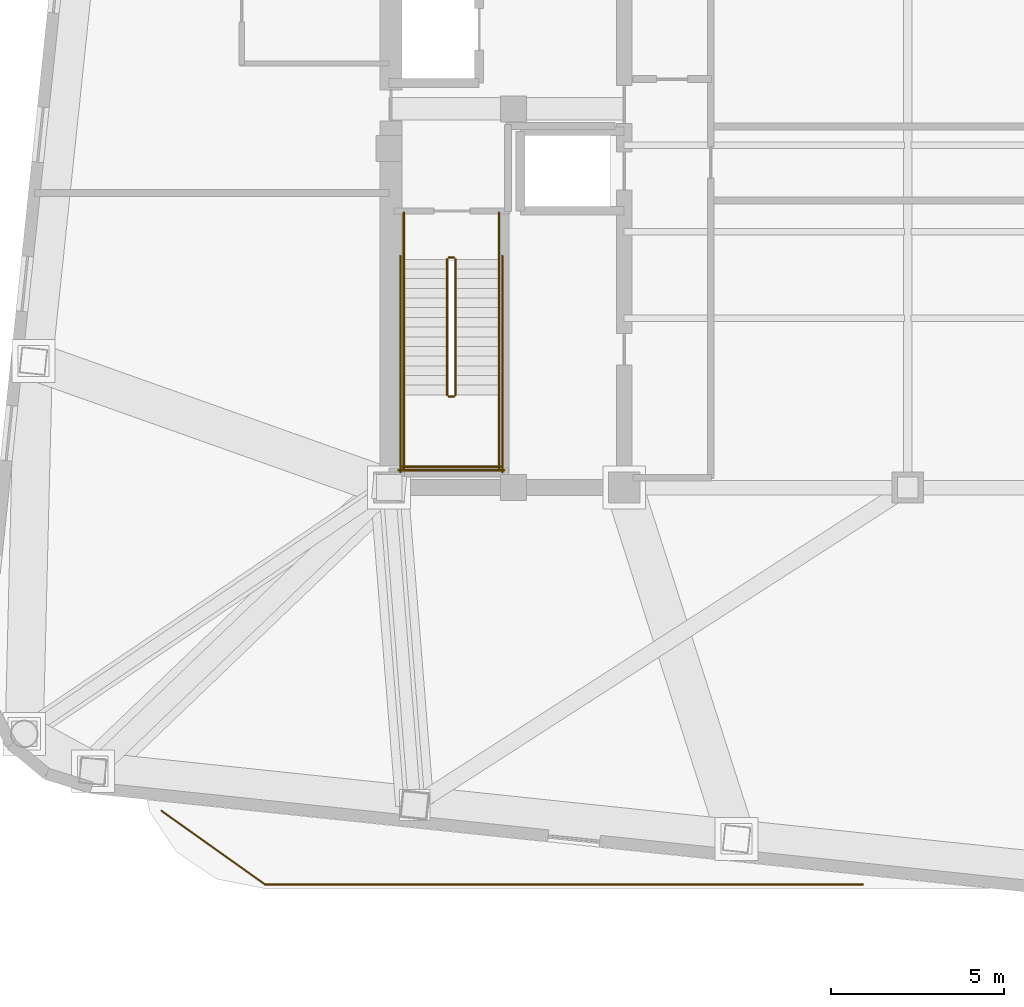
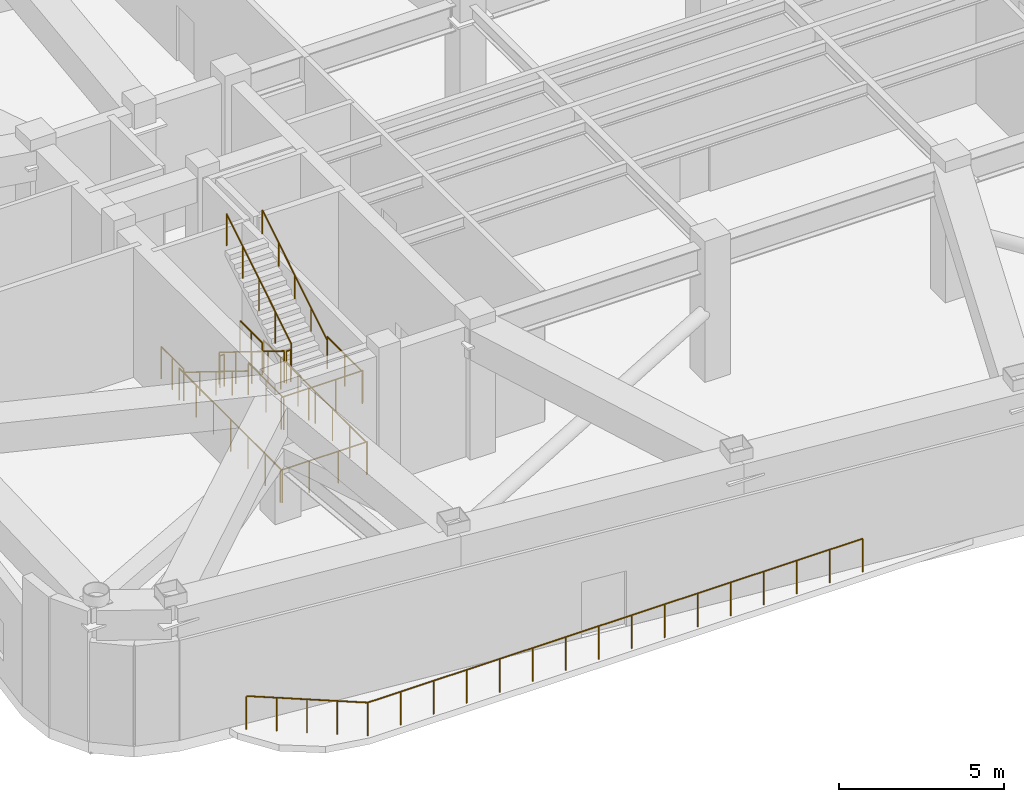
# One storey, part 7 of 9: 16 railings.
"""IFC4 building model written with IfcOpenShell, lengths in metres."""

import ifcopenshell
import ifcopenshell.guid

model = None  # the IFC model being written
_history = None  # IfcOwnerHistory: only IFC2X3 demands one
_inside = {}  # id of a spatial element -> (the spatial element, [elements in it])
_under = {}  # id of a project, library or spatial element -> (it, [spatial elements below it])
_declared = {}  # id of a project -> (the project, [libraries it declares])
_typed = {}  # id of a type object -> (the type object, [elements of that type])
_made_of = {}  # id of a material, layer set ... -> (it, [elements and type objects made of it])


def new_model(schema):
    """Start an empty IFC model of exactly this schema.

    Asked for "IFC4X3", IfcOpenShell would pick the latest addendum, in which some entities
    have other attributes; the version numbers below select the first issue.
    IFC2X3 requires an IfcOwnerHistory on every rooted entity: one is made here for all.
    """
    global model, _history
    if schema == "IFC4X3":
        model = ifcopenshell.file(schema_version=(4, 3, 0, 0))
    else:
        model = ifcopenshell.file(schema=schema)
    _inside.clear()
    _under.clear()
    _declared.clear()
    _typed.clear()
    _made_of.clear()
    _history = None
    if model.schema == "IFC2X3":
        org = make("IfcOrganization", Name="unknown")
        user = make(
            "IfcPersonAndOrganization",
            ThePerson=make("IfcPerson", FamilyName="unknown"),
            TheOrganization=org,
        )
        app = make(
            "IfcApplication",
            ApplicationDeveloper=org,
            Version="unknown",
            ApplicationFullName="unknown",
            ApplicationIdentifier="unknown",
        )
        _history = make(
            "IfcOwnerHistory",
            OwningUser=user,
            OwningApplication=app,
            ChangeAction="ADDED",
            CreationDate=0,
        )
    return model


def make(cls, **values):
    """One entity of the class cls with the attributes given. An attribute that is None is left unset."""
    return model.create_entity(
        cls, **{name: value for name, value in values.items() if value is not None}
    )


def rooted(cls, **values):
    """An entity with a GlobalId (a new one), such as an element, a storey or a relation."""
    return make(cls, GlobalId=ifcopenshell.guid.new(), OwnerHistory=_history, **values)


def si_unit(unit_type, name, prefix=None):
    """IfcSIUnit, for example si_unit("LENGTHUNIT", "METRE", prefix="MILLI")."""
    return make("IfcSIUnit", UnitType=unit_type, Prefix=prefix, Name=name)


def assignment(units):
    """IfcUnitAssignment: the units of a project."""
    return None if units is None else make("IfcUnitAssignment", Units=units)


def point(xyz):
    """IfcCartesianPoint."""
    return None if xyz is None else make("IfcCartesianPoint", Coordinates=xyz)


def direction(xyz):
    """IfcDirection."""
    return None if xyz is None else make("IfcDirection", DirectionRatios=xyz)


def frame(location, z_axis=None, x_axis=None):
    """IfcAxis2Placement3D, a coordinate frame: its origin and axes. An axis left out is left unset."""
    return make(
        "IfcAxis2Placement3D",
        Location=point(location),
        Axis=direction(z_axis),
        RefDirection=direction(x_axis),
    )


def frame_2d(location, x_axis=None):
    """IfcAxis2Placement2D, a coordinate frame in the plane: its origin and x axis."""
    return make(
        "IfcAxis2Placement2D", Location=point(location), RefDirection=direction(x_axis)
    )


def origin():
    """The frame at (0, 0, 0) with its axes left unset."""
    return frame((0.0, 0.0, 0.0))


def origin_2d():
    """The frame at (0, 0) in the plane with its x axis left unset."""
    return frame_2d((0.0, 0.0))


def place(relative_to, where):
    """IfcLocalPlacement: puts the frame where relative to a parent placement (None: the world)."""
    return make(
        "IfcLocalPlacement", PlacementRelTo=relative_to, RelativePlacement=where
    )


def context(
    kind, dimensions, precision=None, world=None, true_north=None, identifier=None
):
    """IfcGeometricRepresentationContext, for example the 3D "Model" context."""
    return make(
        "IfcGeometricRepresentationContext",
        ContextIdentifier=identifier,
        ContextType=kind,
        CoordinateSpaceDimension=dimensions,
        Precision=precision,
        WorldCoordinateSystem=world,
        TrueNorth=true_north,
    )


def subcontext(parent, identifier, kind, view, scale=None):
    """IfcGeometricRepresentationSubContext, for example "Body" below "Model"."""
    return make(
        "IfcGeometricRepresentationSubContext",
        ContextIdentifier=identifier,
        ContextType=kind,
        ParentContext=parent,
        TargetScale=scale,
        TargetView=view,
    )


def project(units=None, contexts=None):
    """IfcProject with its units and contexts."""
    return rooted(
        "IfcProject",
        Name="project",
        RepresentationContexts=contexts,
        UnitsInContext=assignment(units),
    )


def spatial(cls, under=None, at=None, **own):
    """A site, building, storey or space (cls), placed at a placement, below another one or the project."""
    s = rooted(cls, ObjectPlacement=at, **own)
    if under is not None:
        _under.setdefault(under.id(), (under, []))[1].append(s)
    return s


def profile(cls, at=None, kind="AREA", **sizes):
    """A parametric profile (cls). Its sizes go by their IFC names, for example OverallWidth=200.0."""
    return make(cls, ProfileType=kind, Position=at, **sizes)


def circle(**sizes):
    """IfcCircleProfileDef."""
    return profile("IfcCircleProfileDef", **sizes)


def extrude(swept, where, along, depth):
    """IfcExtrudedAreaSolid: the profile swept, set in the frame where, extruded along a direction by depth."""
    return make(
        "IfcExtrudedAreaSolid",
        SweptArea=swept,
        Position=where,
        ExtrudedDirection=direction(along),
        Depth=depth,
    )


def shape(context_of_items, identifier, shape_type, items):
    """IfcShapeRepresentation: the items that make up one representation, for example the "Body"."""
    return make(
        "IfcShapeRepresentation",
        ContextOfItems=context_of_items,
        RepresentationIdentifier=identifier,
        RepresentationType=shape_type,
        Items=items,
    )


def material(Name=None, Category=None):
    """IfcMaterial."""
    return make("IfcMaterial", Name=Name, Category=Category)


def made_of(thing, what):
    """Note that an element or type object is made of a material, layer set ...; save() writes the relation."""
    if what is not None:
        _made_of.setdefault(what.id(), (what, []))[1].append(thing)
    return thing


def type_object(cls, material=None, **own):
    """A type object (cls), such as IfcWallType, which elements share."""
    return made_of(rooted(cls, **own), material)


def element(
    cls,
    number,
    at=None,
    inside=None,
    cuts=None,
    type_object=None,
    material=None,
    context=None,
    identifier="Body",
    shape_type=None,
    held_by="IfcProductDefinitionShape",
    body=None,
    shapes=None,
    **own,
):
    """One element of the class cls, such as IfcWall. Its Tag is "e" and its number.

    at: its placement. inside: the storey or other place that contains it. cuts: it is an
    opening in that element (IfcRelVoidsElement). A single representation is given by context,
    identifier, shape_type and body (its items); several are given by shapes. held_by: the class
    of the entity that holds the representations. save() writes the other relations.
    """
    e = rooted(cls, Tag="e%d" % number, ObjectPlacement=at, **own)
    if body is not None:
        shapes = [shape(context, identifier, shape_type, body)]
    if shapes is not None:
        e.Representation = make(held_by, Representations=shapes)
    if inside is not None:
        _inside.setdefault(inside.id(), (inside, []))[1].append(e)
    if cuts is not None:
        rooted(
            "IfcRelVoidsElement", RelatingBuildingElement=cuts, RelatedOpeningElement=e
        )
    if type_object is not None:
        _typed.setdefault(type_object.id(), (type_object, []))[1].append(e)
    return made_of(e, material)


def aggregate(whole, parts):
    """IfcRelAggregates: a whole, such as a stair, and the parts it consists of."""
    return rooted("IfcRelAggregates", RelatingObject=whole, RelatedObjects=parts)


def save(model, path):
    """Write the relations noted so far, then the file.

    IfcRelAggregates (storeys below a building ...), IfcRelContainedInSpatialStructure (elements
    in a storey), IfcRelDefinesByType, IfcRelAssociatesMaterial and IfcRelDeclares: one each for
    every whole, place, type object, material and project.
    """
    for whole, parts in _under.values():
        aggregate(whole, parts)
    for where, things in _inside.values():
        rooted(
            "IfcRelContainedInSpatialStructure",
            RelatedElements=things,
            RelatingStructure=where,
        )
    for kind, things in _typed.values():
        rooted("IfcRelDefinesByType", RelatedObjects=things, RelatingType=kind)
    for what, things in _made_of.values():
        rooted("IfcRelAssociatesMaterial", RelatedObjects=things, RelatingMaterial=what)
    for by, libraries in _declared.values():
        rooted("IfcRelDeclares", RelatingContext=by, RelatedDefinitions=libraries)
    model.write(path)


model = new_model("IFC4")

# Units and contexts
model_context = context("Model", 3, precision=1e-05, world=origin(), true_north=direction((0.0, 1.0)))
body_context = subcontext(model_context, "Body", "Model", "MODEL_VIEW")
ifc_project = project(units=[si_unit("LENGTHUNIT", "METRE"), si_unit("AREAUNIT", "SQUARE_METRE"), si_unit("VOLUMEUNIT", "CUBIC_METRE"), si_unit("PLANEANGLEUNIT", "RADIAN"), si_unit("MASSUNIT", "GRAM", prefix="KILO")], contexts=[model_context])

# Site, building, storey
site_placement = place(None, origin())
site = spatial("IfcSite", under=ifc_project, at=site_placement, CompositionType="ELEMENT")
building_placement = place(site_placement, origin())
building = spatial("IfcBuilding", under=site, at=building_placement, Name="Voryun Gate Residences", CompositionType="ELEMENT")
storey_placement = place(building_placement, frame((0.0, 0.0, 254.800048828125)))
storey = spatial("IfcBuildingStorey", under=building, at=storey_placement, Name="L63", CompositionType="ELEMENT", Elevation=254.800048828125)

# Railings
ifc_material_1 = material(Name="Painted steel", Category="steel")
railing_type_1 = type_object("IfcRailingType", Name="RAIL_STAIR_GUARD_1200", PredefinedType="GUARDRAIL", material=ifc_material_1)
railing_1_placement = place(storey_placement, frame((-17.52490234375, -0.800048828125, 0.17333984375)))
element("IfcRailing", 1, at=railing_1_placement, inside=storey, type_object=railing_type_1, Name="L63 ST-W1 stair guard 1", PredefinedType="GUARDRAIL", context=body_context, shape_type="SweptSolid", body=[
    extrude(circle(Radius=0.02392578125, at=origin_2d()), frame((0.0, 0.0, 1.17578125), z_axis=(0.0, -0.850275303828, 0.526338206574), x_axis=(1.0, 0.0, 0.0)), (0.0, 0.0, 1.0), 4.610107421875),
    extrude(circle(Radius=0.02099609375, at=origin_2d()), origin(), (0.0, 0.0, 1.0), 1.15185546875),
    extrude(circle(Radius=0.02099609375, at=origin_2d()), frame((0.0, -0.97998046875, 0.606689453125)), (0.0, 0.0, 1.0), 1.15185546875),
    extrude(circle(Radius=0.02099609375, at=origin_2d()), frame((0.0, -1.9599609375, 1.21337890625)), (0.0, 0.0, 1.0), 1.15185546875),
    extrude(circle(Radius=0.02099609375, at=origin_2d()), frame((0.0, -2.93994140625, 1.81982421875)), (0.0, 0.0, 1.0), 1.15185546875),
    extrude(circle(Radius=0.02099609375, at=origin_2d()), frame((0.0, -3.919921875, 2.426513671875)), (0.0, 0.0, 1.0), 1.15185546875),
])
railing_2_placement = place(storey_placement, frame((-17.47509765625, -4.77001953125, 2.599853515625)))
element("IfcRailing", 2, at=railing_2_placement, inside=storey, type_object=railing_type_1, Name="L63 ST-W1 stair guard 2", PredefinedType="GUARDRAIL", context=body_context, shape_type="SweptSolid", body=[
    extrude(circle(Radius=0.02392578125, at=origin_2d()), frame((0.0, 0.0, 1.17578125), z_axis=(1.0, 0.0, 0.0), x_axis=(0.0, 1.0, 0.0)), (0.0, 0.0, 1.0), 0.150146484375),
    extrude(circle(Radius=0.02099609375, at=origin_2d()), origin(), (0.0, 0.0, 1.0), 1.15185546875),
    extrude(circle(Radius=0.02099609375, at=origin_2d()), frame((0.150146484375, 0.0, 0.0)), (0.0, 0.0, 1.0), 1.15185546875),
])
for number, where, name in (
    (3, (-18.77490234375, -4.719970703125, 2.599853515625), "L63 ST-W1 stair guard 3"),
    (4, (-16.02490234375, -4.719970703125, 2.599853515625), "L63 ST-W1 stair guard 4"),
):
    element("IfcRailing", number, at=place(storey_placement, frame(where)), inside=storey, type_object=railing_type_1, Name=name, PredefinedType="GUARDRAIL", context=body_context, shape_type="SweptSolid", body=[
        extrude(circle(Radius=0.02392578125, at=origin_2d()), frame((0.0, 0.0, 1.17578125), z_axis=(0.0, -1.0, 0.0), x_axis=(1.0, 0.0, 0.0)), (0.0, 0.0, 1.0), 2.130126953125),
        extrude(circle(Radius=0.02099609375, at=origin_2d()), origin(), (0.0, 0.0, 1.0), 1.15185546875),
        extrude(circle(Radius=0.02099609375, at=origin_2d()), frame((0.0, -1.06494140625, 0.0)), (0.0, 0.0, 1.0), 1.15185546875),
        extrude(circle(Radius=0.02099609375, at=origin_2d()), frame((0.0, -2.130126953125, 0.0)), (0.0, 0.0, 1.0), 1.15185546875),
    ])
railing_3_placement = place(storey_placement, frame((-18.824951171875, -6.800048828125, 2.599853515625)))
element("IfcRailing", 5, at=railing_3_placement, inside=storey, type_object=railing_type_1, Name="L63 ST-W1 stair guard 5", PredefinedType="GUARDRAIL", context=body_context, shape_type="SweptSolid", body=[
    extrude(circle(Radius=0.02392578125, at=origin_2d()), frame((0.0, 0.0, 1.17578125), z_axis=(1.0, 0.0, 0.0), x_axis=(0.0, 1.0, 0.0)), (0.0, 0.0, 1.0), 2.849853515625),
    extrude(circle(Radius=0.02099609375, at=origin_2d()), origin(), (0.0, 0.0, 1.0), 1.15185546875),
    extrude(circle(Radius=0.02099609375, at=origin_2d()), frame((0.949951171875, 0.0, 0.0)), (0.0, 0.0, 1.0), 1.15185546875),
    extrude(circle(Radius=0.02099609375, at=origin_2d()), frame((1.89990234375, 0.0, 0.0)), (0.0, 0.0, 1.0), 1.15185546875),
    extrude(circle(Radius=0.02099609375, at=origin_2d()), frame((2.849853515625, 0.0, 0.0)), (0.0, 0.0, 1.0), 1.15185546875),
])
railing_4_placement = place(storey_placement, frame((-17.27490234375, -4.719970703125, 2.773193359375)))
element("IfcRailing", 6, at=railing_4_placement, inside=storey, type_object=railing_type_1, Name="L63 ST-W1 stair guard 6", PredefinedType="GUARDRAIL", context=body_context, shape_type="SweptSolid", body=[
    extrude(circle(Radius=0.02392578125, at=origin_2d()), frame((0.0, 0.0, 1.17578125), z_axis=(0.0, 0.850251603719, 0.526376491091), x_axis=(-1.0, 0.0, 0.0)), (0.0, 0.0, 1.0), 4.6103515625),
    extrude(circle(Radius=0.02099609375, at=origin_2d()), origin(), (0.0, 0.0, 1.0), 1.15185546875),
    extrude(circle(Radius=0.02099609375, at=origin_2d()), frame((0.0, 0.97998046875, 0.606689453125)), (0.0, 0.0, 1.0), 1.15185546875),
    extrude(circle(Radius=0.02099609375, at=origin_2d()), frame((0.0, 1.9599609375, 1.21337890625)), (0.0, 0.0, 1.0), 1.15185546875),
    extrude(circle(Radius=0.02099609375, at=origin_2d()), frame((0.0, 2.93994140625, 1.820068359375)), (0.0, 0.0, 1.0), 1.15185546875),
    extrude(circle(Radius=0.02099609375, at=origin_2d()), frame((0.0, 3.919921875, 2.4267578125)), (0.0, 0.0, 1.0), 1.15185546875),
])
railing_5_placement = place(storey_placement, frame((-17.47509765625, -0.75, 0.0)))
element("IfcRailing", 7, at=railing_5_placement, inside=storey, type_object=railing_type_1, Name="L63 ST-W1 stair guard 7", PredefinedType="GUARDRAIL", context=body_context, shape_type="SweptSolid", body=[
    extrude(circle(Radius=0.02392578125, at=origin_2d()), frame((0.0, 0.0, 1.17578125), z_axis=(1.0, 0.0, 0.0), x_axis=(0.0, 1.0, 0.0)), (0.0, 0.0, 1.0), 0.150146484375),
    extrude(circle(Radius=0.02099609375, at=origin_2d()), origin(), (0.0, 0.0, 1.0), 1.15185546875),
    extrude(circle(Radius=0.02099609375, at=origin_2d()), frame((0.150146484375, 0.0, 0.0)), (0.0, 0.0, 1.0), 1.15185546875),
])
for number, where, name in (
    (8, (-18.77490234375, 0.550048828125, 0.0), "L63 ST-W1 stair guard 8"),
    (9, (-16.02490234375, 0.550048828125, 0.0), "L63 ST-W1 stair guard 9"),
):
    element("IfcRailing", number, at=place(storey_placement, frame(where)), inside=storey, type_object=railing_type_1, Name=name, PredefinedType="GUARDRAIL", context=body_context, shape_type="SweptSolid", body=[
        extrude(circle(Radius=0.02392578125, at=origin_2d()), frame((0.0, 0.0, 1.17578125), z_axis=(0.0, -1.0, 0.0), x_axis=(1.0, 0.0, 0.0)), (0.0, 0.0, 1.0), 1.35009765625),
        extrude(circle(Radius=0.02099609375, at=origin_2d()), origin(), (0.0, 0.0, 1.0), 1.15185546875),
        extrude(circle(Radius=0.02099609375, at=origin_2d()), frame((0.0, -0.675048828125, 0.0)), (0.0, 0.0, 1.0), 1.15185546875),
        extrude(circle(Radius=0.02099609375, at=origin_2d()), frame((0.0, -1.35009765625, 0.0)), (0.0, 0.0, 1.0), 1.15185546875),
    ])
for number, where, name in (
    (10, (-18.875, -0.699951171875, 0.0), "L63 ST-W1 stair guard 10"),
    (11, (-15.925048828125, -0.699951171875, 0.0), "L63 ST-W1 stair guard 11"),
):
    element("IfcRailing", number, at=place(storey_placement, frame(where)), inside=storey, type_object=railing_type_1, Name=name, PredefinedType="GUARDRAIL", context=body_context, shape_type="SweptSolid", body=[
        extrude(circle(Radius=0.02392578125, at=origin_2d()), frame((0.0, 0.0, 1.17578125), z_axis=(0.0, -1.0, 0.0), x_axis=(1.0, 0.0, 0.0)), (0.0, 0.0, 1.0), 6.25),
        extrude(circle(Radius=0.02099609375, at=origin_2d()), origin(), (0.0, 0.0, 1.0), 1.15185546875),
        extrude(circle(Radius=0.02099609375, at=origin_2d()), frame((0.0, -1.041748046875, 0.0)), (0.0, 0.0, 1.0), 1.15185546875),
        extrude(circle(Radius=0.02099609375, at=origin_2d()), frame((0.0, -2.083251953125, 0.0)), (0.0, 0.0, 1.0), 1.15185546875),
        extrude(circle(Radius=0.02099609375, at=origin_2d()), frame((0.0, -3.125, 0.0)), (0.0, 0.0, 1.0), 1.15185546875),
        extrude(circle(Radius=0.02099609375, at=origin_2d()), frame((0.0, -4.166748046875, 0.0)), (0.0, 0.0, 1.0), 1.15185546875),
        extrude(circle(Radius=0.02099609375, at=origin_2d()), frame((0.0, -5.208251953125, 0.0)), (0.0, 0.0, 1.0), 1.15185546875),
        extrude(circle(Radius=0.02099609375, at=origin_2d()), frame((0.0, -6.25, 0.0)), (0.0, 0.0, 1.0), 1.15185546875),
    ])
railing_6_placement = place(storey_placement, frame((-18.925048828125, -6.89990234375, 0.0)))
element("IfcRailing", 12, at=railing_6_placement, inside=storey, type_object=railing_type_1, Name="L63 ST-W1 stair guard 12", PredefinedType="GUARDRAIL", context=body_context, shape_type="SweptSolid", body=[
    extrude(circle(Radius=0.02392578125, at=origin_2d()), frame((0.0, 0.0, 1.17578125), z_axis=(1.0, 0.0, 0.0), x_axis=(0.0, 1.0, 0.0)), (0.0, 0.0, 1.0), 3.050048828125),
    extrude(circle(Radius=0.02099609375, at=origin_2d()), origin(), (0.0, 0.0, 1.0), 1.15185546875),
    extrude(circle(Radius=0.02099609375, at=origin_2d()), frame((1.0166015625, 0.0, 0.0)), (0.0, 0.0, 1.0), 1.15185546875),
    extrude(circle(Radius=0.02099609375, at=origin_2d()), frame((2.033447265625, 0.0, 0.0)), (0.0, 0.0, 1.0), 1.15185546875),
    extrude(circle(Radius=0.02099609375, at=origin_2d()), frame((3.050048828125, 0.0, 0.0)), (0.0, 0.0, 1.0), 1.15185546875),
])
ifc_material_2 = material(Name="Painted steel", Category="steel")
railing_type_2 = type_object("IfcRailingType", Name="RAIL_STAIR_HANDRAIL_900", PredefinedType="HANDRAIL", material=ifc_material_2)
railing_7_placement = place(storey_placement, frame((-18.77490234375, -0.800048828125, 0.17333984375)))
element("IfcRailing", 13, at=railing_7_placement, inside=storey, type_object=railing_type_2, Name="L63 ST-W1 stair handrail 1", PredefinedType="HANDRAIL", context=body_context, shape_type="SweptSolid", body=[
    extrude(circle(Radius=0.02392578125, at=origin_2d()), frame((0.0, 0.0, 0.8759765625), z_axis=(0.0, -0.850275303828, 0.526338206574), x_axis=(1.0, 0.0, 0.0)), (0.0, 0.0, 1.0), 4.610107421875),
    extrude(circle(Radius=0.02099609375, at=origin_2d()), origin(), (0.0, 0.0, 1.0), 0.851806640625),
    extrude(circle(Radius=0.02099609375, at=origin_2d()), frame((0.0, -0.97998046875, 0.606689453125)), (0.0, 0.0, 1.0), 0.851806640625),
    extrude(circle(Radius=0.02099609375, at=origin_2d()), frame((0.0, -1.9599609375, 1.21337890625)), (0.0, 0.0, 1.0), 0.851806640625),
    extrude(circle(Radius=0.02099609375, at=origin_2d()), frame((0.0, -2.93994140625, 1.81982421875)), (0.0, 0.0, 1.0), 0.851806640625),
    extrude(circle(Radius=0.02099609375, at=origin_2d()), frame((0.0, -3.919921875, 2.426513671875)), (0.0, 0.0, 1.0), 0.851806640625),
])
railing_8_placement = place(storey_placement, frame((-16.02490234375, -4.719970703125, 2.773193359375)))
element("IfcRailing", 14, at=railing_8_placement, inside=storey, type_object=railing_type_2, Name="L63 ST-W1 stair handrail 2", PredefinedType="HANDRAIL", context=body_context, shape_type="SweptSolid", body=[
    extrude(circle(Radius=0.02392578125, at=origin_2d()), frame((0.0, 0.0, 0.8759765625), z_axis=(0.0, 0.850251603719, 0.526376491091), x_axis=(-1.0, 0.0, 0.0)), (0.0, 0.0, 1.0), 4.6103515625),
    extrude(circle(Radius=0.02099609375, at=origin_2d()), origin(), (0.0, 0.0, 1.0), 0.851806640625),
    extrude(circle(Radius=0.02099609375, at=origin_2d()), frame((0.0, 0.97998046875, 0.606689453125)), (0.0, 0.0, 1.0), 0.851806640625),
    extrude(circle(Radius=0.02099609375, at=origin_2d()), frame((0.0, 1.9599609375, 1.21337890625)), (0.0, 0.0, 1.0), 0.851806640625),
    extrude(circle(Radius=0.02099609375, at=origin_2d()), frame((0.0, 2.93994140625, 1.820068359375)), (0.0, 0.0, 1.0), 0.851806640625),
    extrude(circle(Radius=0.02099609375, at=origin_2d()), frame((0.0, 3.919921875, 2.4267578125)), (0.0, 0.0, 1.0), 0.851806640625),
])
ifc_material_3 = material(Name="Anodised aluminium", Category="aluminium")
railing_type_3 = type_object("IfcRailingType", Name="RAIL_TERRACE_GUARD_1250", PredefinedType="GUARDRAIL", material=ifc_material_3)
railing_9_placement = place(storey_placement, frame((-22.7880859375, -18.8798828125, 0.0)))
element("IfcRailing", 15, at=railing_9_placement, inside=storey, type_object=railing_type_3, Name="Terrace guard RL-L63-P2L1-01", PredefinedType="GUARDRAIL", context=body_context, shape_type="SweptSolid", body=[
    extrude(circle(Radius=0.02392578125, at=origin_2d()), frame((0.0, 0.0, 1.22607421875), z_axis=(-0.815160628688, 0.579234969108, 0.0), x_axis=(-0.579234969108, -0.815160628688, 0.0)), (0.0, 0.0, 1.0), 3.680908203125),
    extrude(circle(Radius=0.02099609375, at=origin_2d()), origin(), (0.0, 0.0, 1.0), 1.201904296875),
    extrude(circle(Radius=0.02099609375, at=origin_2d()), frame((-0.75, 0.532958984375, 0.0)), (0.0, 0.0, 1.0), 1.201904296875),
    extrude(circle(Radius=0.02099609375, at=origin_2d()), frame((-1.500244140625, 1.06591796875, 0.0)), (0.0, 0.0, 1.0), 1.201904296875),
    extrude(circle(Radius=0.02099609375, at=origin_2d()), frame((-2.25048828125, 1.59912109375, 0.0)), (0.0, 0.0, 1.0), 1.201904296875),
    extrude(circle(Radius=0.02099609375, at=origin_2d()), frame((-3.00048828125, 2.132080078125, 0.0)), (0.0, 0.0, 1.0), 1.201904296875),
])
railing_10_placement = place(storey_placement, frame((-5.502685546875, -18.8798828125, 0.0)))
element("IfcRailing", 16, at=railing_10_placement, inside=storey, type_object=railing_type_3, Name="Terrace guard RL-L63-P2L2-01", PredefinedType="GUARDRAIL", context=body_context, shape_type="SweptSolid", body=[
    extrude(circle(Radius=0.02392578125, at=origin_2d()), frame((0.0, 0.0, 1.22607421875), z_axis=(-1.0, 0.0, 0.0), x_axis=(0.0, -1.0, 0.0)), (0.0, 0.0, 1.0), 17.285400390625),
    extrude(circle(Radius=0.02099609375, at=origin_2d()), origin(), (0.0, 0.0, 1.0), 1.201904296875),
    extrude(circle(Radius=0.02099609375, at=origin_2d()), frame((-1.15234375, 0.0, 0.0)), (0.0, 0.0, 1.0), 1.201904296875),
    extrude(circle(Radius=0.02099609375, at=origin_2d()), frame((-2.3046875, 0.0, 0.0)), (0.0, 0.0, 1.0), 1.201904296875),
    extrude(circle(Radius=0.02099609375, at=origin_2d()), frame((-3.45703125, 0.0, 0.0)), (0.0, 0.0, 1.0), 1.201904296875),
    extrude(circle(Radius=0.02099609375, at=origin_2d()), frame((-4.609375, 0.0, 0.0)), (0.0, 0.0, 1.0), 1.201904296875),
    extrude(circle(Radius=0.02099609375, at=origin_2d()), frame((-5.76171875, 0.0, 0.0)), (0.0, 0.0, 1.0), 1.201904296875),
    extrude(circle(Radius=0.02099609375, at=origin_2d()), frame((-6.9140625, 0.0, 0.0)), (0.0, 0.0, 1.0), 1.201904296875),
    extrude(circle(Radius=0.02099609375, at=origin_2d()), frame((-8.06640625, 0.0, 0.0)), (0.0, 0.0, 1.0), 1.201904296875),
    extrude(circle(Radius=0.02099609375, at=origin_2d()), frame((-9.218994140625, 0.0, 0.0)), (0.0, 0.0, 1.0), 1.201904296875),
    extrude(circle(Radius=0.02099609375, at=origin_2d()), frame((-10.371337890625, 0.0, 0.0)), (0.0, 0.0, 1.0), 1.201904296875),
    extrude(circle(Radius=0.02099609375, at=origin_2d()), frame((-11.523681640625, 0.0, 0.0)), (0.0, 0.0, 1.0), 1.201904296875),
    extrude(circle(Radius=0.02099609375, at=origin_2d()), frame((-12.676025390625, 0.0, 0.0)), (0.0, 0.0, 1.0), 1.201904296875),
    extrude(circle(Radius=0.02099609375, at=origin_2d()), frame((-13.828369140625, 0.0, 0.0)), (0.0, 0.0, 1.0), 1.201904296875),
    extrude(circle(Radius=0.02099609375, at=origin_2d()), frame((-14.980712890625, 0.0, 0.0)), (0.0, 0.0, 1.0), 1.201904296875),
    extrude(circle(Radius=0.02099609375, at=origin_2d()), frame((-16.133056640625, 0.0, 0.0)), (0.0, 0.0, 1.0), 1.201904296875),
    extrude(circle(Radius=0.02099609375, at=origin_2d()), frame((-17.285400390625, 0.0, 0.0)), (0.0, 0.0, 1.0), 1.201904296875),
])

save(model, "model.ifc")
